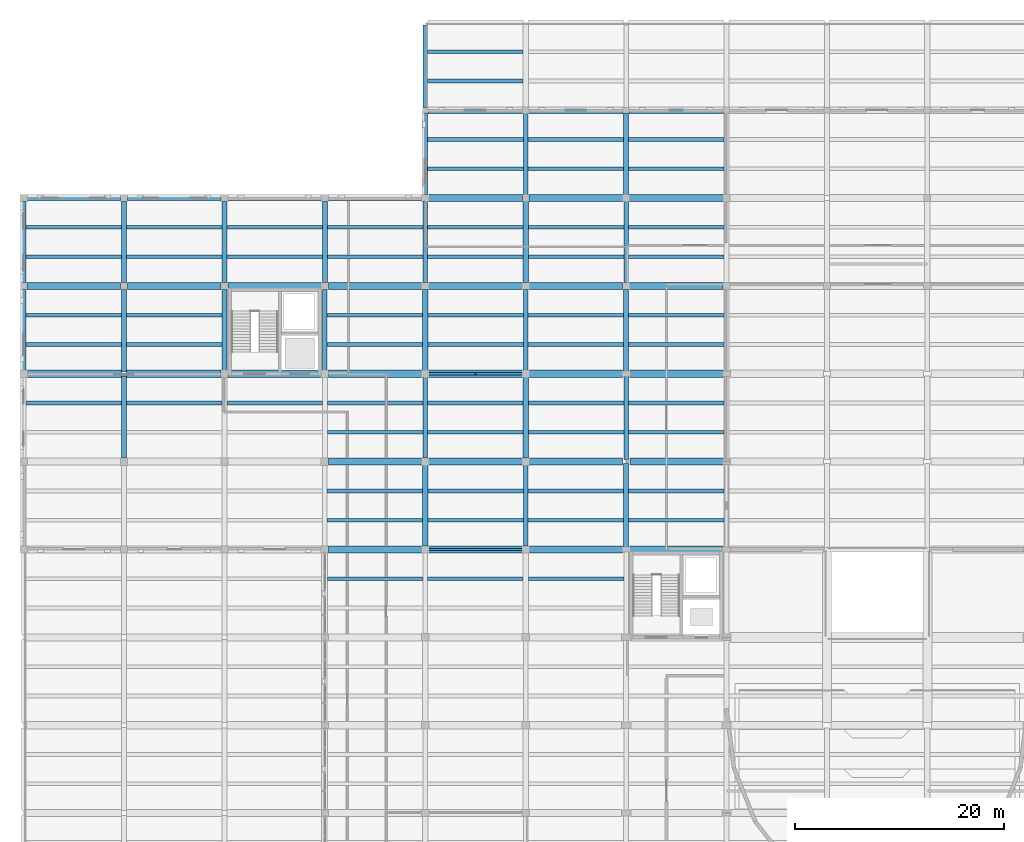
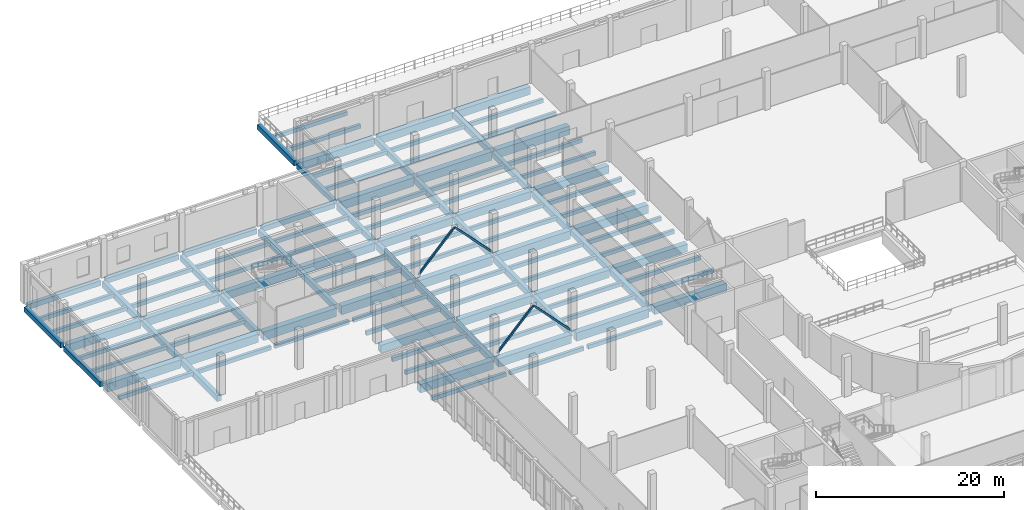
# One storey, part 32 of 71: 113 beams, 4 members.
"""IFC4 building model written with IfcOpenShell, lengths in metres."""

from ifc_helpers import new_model, si_unit, direction, frame, origin, origin_2d, place, context, subcontext, project, spatial, rectangle, hollow_rectangle, extrude, material, material_profile, profile_set, type_object, element, save


model = new_model("IFC4")

# Units and contexts
model_context = context("Model", 3, precision=1e-05, world=origin(), true_north=direction((0.0, 1.0)))
body_context = subcontext(model_context, "Body", "Model", "MODEL_VIEW")
ifc_project = project(units=[si_unit("LENGTHUNIT", "METRE"), si_unit("AREAUNIT", "SQUARE_METRE"), si_unit("VOLUMEUNIT", "CUBIC_METRE"), si_unit("PLANEANGLEUNIT", "RADIAN"), si_unit("MASSUNIT", "GRAM", prefix="KILO")], contexts=[model_context])

# Site, building, storey
site_placement = place(None, origin())
site = spatial("IfcSite", under=ifc_project, at=site_placement, CompositionType="ELEMENT")
building_placement = place(site_placement, origin())
building = spatial("IfcBuilding", under=site, at=building_placement, Name="Lornevale Opera House", CompositionType="ELEMENT")
storey_placement = place(building_placement, origin())
storey = spatial("IfcBuildingStorey", under=building, at=storey_placement, Name="L01", CompositionType="ELEMENT", Elevation=0.0)

# Beams
ifc_material_1 = material(Name="Concrete 35 MPa (CSA A23.1 N)", Category="concrete")
ifc_material_profile_1 = material_profile(ifc_material_1, rectangle(XDim=0.449951171875, YDim=0.75, at=origin_2d()), Name="RC450x750")
ifc_profile_set_1 = profile_set([ifc_material_profile_1], Name="Concrete 35 MPa (CSA A23.1 N)")
beam_type_1 = type_object("IfcBeamType", Name="Concrete Floor Beam 450x750", PredefinedType="USERDEFINED", material=ifc_profile_set_1)
beam_1_placement = place(storey_placement, frame((9.60009765625, 84.22509765625, -0.81494140625), z_axis=(0.0, 1.0, 0.0), x_axis=(-1.0, 0.0, 0.0)))
element("IfcBeam", 1, at=beam_1_placement, inside=storey, type_object=beam_type_1, Name="Concrete Floor Beam 450x750 1091", ObjectType="GIRDER", PredefinedType="USERDEFINED", context=body_context, shape_type="SweptSolid", body=[
    extrude(rectangle(XDim=0.449951171875, YDim=0.75, at=origin_2d()), origin(), (0.0, 0.0, 1.0), 7.849853515625),
])
for number, where, z_axis, x_axis, name in (
    (2, (19.199951171875, 92.72509765625, -0.81494140625), (0.0, 1.0, 0.0), (-1.0, 0.0, 0.0), "Concrete Floor Beam 450x750 1104"),
    (3, (28.800048828125, 84.324951171875, -0.81494140625), (0.0, 1.0, 0.0), (-1.0, 0.0, 0.0), "Concrete Floor Beam 450x750 1115"),
    (4, (38.39990234375, 75.925048828125, -0.81494140625), (0.0, 1.0, 0.0), (-1.0, 0.0, 0.0), "Concrete Floor Beam 450x750 1126"),
    (5, (38.39990234375, 92.72509765625, -0.81494140625), (0.0, 1.0, 0.0), (-1.0, 0.0, 0.0), "Concrete Floor Beam 450x750 1128"),
    (6, (48.0, 67.52490234375, -0.81494140625), (0.0, 1.0, 0.0), (-1.0, 0.0, 0.0), "Concrete Floor Beam 450x750 1139"),
    (7, (48.0, 84.324951171875, -0.81494140625), (0.0, 1.0, 0.0), (-1.0, 0.0, 0.0), "Concrete Floor Beam 450x750 1141"),
):
    element("IfcBeam", number, at=place(storey_placement, frame(where, z_axis=z_axis, x_axis=x_axis)), inside=storey, type_object=beam_type_1, Name=name, ObjectType="GIRDER", PredefinedType="USERDEFINED", context=body_context, shape_type="SweptSolid", body=[
        extrude(rectangle(XDim=0.449951171875, YDim=0.75, at=origin_2d()), origin(), (0.0, 0.0, 1.0), 7.75),
    ])
beam_2_placement = place(storey_placement, frame((48.0, 101.10009765625, -0.7548828125), z_axis=(0.0, 1.0, 0.0), x_axis=(-1.0, 0.0, 0.0)))
element("IfcBeam", 8, at=beam_2_placement, inside=storey, type_object=beam_type_1, Name="Concrete Floor Beam 450x750 1143", ObjectType="GIRDER", PredefinedType="USERDEFINED", context=body_context, shape_type="SweptSolid", body=[
    extrude(rectangle(XDim=0.449951171875, YDim=0.75, at=origin_2d()), origin(), (0.0, 0.0, 1.0), 7.824951171875),
])
beam_3_placement = place(storey_placement, frame((57.60009765625, 75.800048828125, -0.81494140625), z_axis=(0.0, 1.0, 0.0), x_axis=(-1.0, 0.0, 0.0)))
element("IfcBeam", 9, at=beam_3_placement, inside=storey, type_object=beam_type_1, Name="Concrete Floor Beam 450x750 1154", ObjectType="GIRDER", PredefinedType="USERDEFINED", context=body_context, shape_type="SweptSolid", body=[
    extrude(rectangle(XDim=0.449951171875, YDim=0.75, at=origin_2d()), origin(), (0.0, 0.0, 1.0), 8.0),
])
beam_4_placement = place(storey_placement, frame((57.60009765625, 92.72509765625, -0.81494140625), z_axis=(0.0, 1.0, 0.0), x_axis=(-1.0, 0.0, 0.0)))
element("IfcBeam", 10, at=beam_4_placement, inside=storey, type_object=beam_type_1, Name="Concrete Floor Beam 450x750 1156", ObjectType="GIRDER", PredefinedType="USERDEFINED", context=body_context, shape_type="SweptSolid", body=[
    extrude(rectangle(XDim=0.449951171875, YDim=0.75, at=origin_2d()), origin(), (0.0, 0.0, 1.0), 7.77490234375),
])
ifc_material_profile_2 = material_profile(ifc_material_1, rectangle(XDim=0.5, YDim=0.800048828125, at=origin_2d()), Name="RC500x800")
ifc_profile_set_2 = profile_set([ifc_material_profile_2], Name="Concrete 35 MPa (CSA A23.1 N)")
beam_type_2 = type_object("IfcBeamType", Name="Concrete Floor Beam 500x800", PredefinedType="USERDEFINED", material=ifc_profile_set_2)
beam_5_placement = place(storey_placement, frame((9.60009765625, 75.925048828125, -0.840087890625), z_axis=(0.0, 1.0, 0.0), x_axis=(-1.0, 0.0, 0.0)))
element("IfcBeam", 11, at=beam_5_placement, inside=storey, type_object=beam_type_2, Name="Concrete Floor Beam 500x800 1090", ObjectType="GIRDER", PredefinedType="USERDEFINED", context=body_context, shape_type="SweptSolid", body=[
    extrude(rectangle(XDim=0.5, YDim=0.800048828125, at=origin_2d()), origin(), (0.0, 0.0, 1.0), 7.849853515625),
])
for number, where, z_axis, x_axis, name in (
    (12, (9.60009765625, 92.72509765625, -0.840087890625), (0.0, 1.0, 0.0), (-1.0, 0.0, 0.0), "Concrete Floor Beam 500x800 1092"),
    (13, (19.199951171875, 84.324951171875, -0.840087890625), (0.0, 1.0, 0.0), (-1.0, 0.0, 0.0), "Concrete Floor Beam 500x800 1103"),
    (14, (28.800048828125, 92.72509765625, -0.840087890625), (0.0, 1.0, 0.0), (-1.0, 0.0, 0.0), "Concrete Floor Beam 500x800 1116"),
    (15, (38.39990234375, 67.52490234375, -0.840087890625), (0.0, 1.0, 0.0), (-1.0, 0.0, 0.0), "Concrete Floor Beam 500x800 1125"),
    (16, (38.39990234375, 84.324951171875, -0.840087890625), (0.0, 1.0, 0.0), (-1.0, 0.0, 0.0), "Concrete Floor Beam 500x800 1127"),
    (17, (48.0, 75.925048828125, -0.840087890625), (0.0, 1.0, 0.0), (-1.0, 0.0, 0.0), "Concrete Floor Beam 500x800 1140"),
):
    element("IfcBeam", number, at=place(storey_placement, frame(where, z_axis=z_axis, x_axis=x_axis)), inside=storey, type_object=beam_type_2, Name=name, ObjectType="GIRDER", PredefinedType="USERDEFINED", context=body_context, shape_type="SweptSolid", body=[
        extrude(rectangle(XDim=0.5, YDim=0.800048828125, at=origin_2d()), origin(), (0.0, 0.0, 1.0), 7.75),
    ])
beam_6_placement = place(storey_placement, frame((48.0, 92.72509765625, -0.840087890625), z_axis=(0.0, 1.0, 0.0), x_axis=(-1.0, 0.0, 0.0)))
element("IfcBeam", 18, at=beam_6_placement, inside=storey, type_object=beam_type_2, Name="Concrete Floor Beam 500x800 1142", ObjectType="GIRDER", PredefinedType="USERDEFINED", context=body_context, shape_type="SweptSolid", body=[
    extrude(rectangle(XDim=0.5, YDim=0.800048828125, at=origin_2d()), origin(), (0.0, 0.0, 1.0), 7.77490234375),
])
beam_7_placement = place(storey_placement, frame((57.60009765625, 67.39990234375, -0.840087890625), z_axis=(0.0, 1.0, 0.0), x_axis=(-1.0, 0.0, 0.0)))
element("IfcBeam", 19, at=beam_7_placement, inside=storey, type_object=beam_type_2, Name="Concrete Floor Beam 500x800 1153", ObjectType="GIRDER", PredefinedType="USERDEFINED", context=body_context, shape_type="SweptSolid", body=[
    extrude(rectangle(XDim=0.5, YDim=0.800048828125, at=origin_2d()), origin(), (0.0, 0.0, 1.0), 8.0),
])
beam_8_placement = place(storey_placement, frame((57.60009765625, 84.199951171875, -0.840087890625), z_axis=(0.0, 1.0, 0.0), x_axis=(-1.0, 0.0, 0.0)))
element("IfcBeam", 20, at=beam_8_placement, inside=storey, type_object=beam_type_2, Name="Concrete Floor Beam 500x800 1155", ObjectType="GIRDER", PredefinedType="USERDEFINED", context=body_context, shape_type="SweptSolid", body=[
    extrude(rectangle(XDim=0.5, YDim=0.800048828125, at=origin_2d()), origin(), (0.0, 0.0, 1.0), 7.875),
])
beam_9_placement = place(storey_placement, frame((57.60009765625, 101.10009765625, -0.780029296875), z_axis=(0.0, 1.0, 0.0), x_axis=(-1.0, 0.0, 0.0)))
element("IfcBeam", 21, at=beam_9_placement, inside=storey, type_object=beam_type_2, Name="Concrete Floor Beam 500x800 1157", ObjectType="GIRDER", PredefinedType="USERDEFINED", context=body_context, shape_type="SweptSolid", body=[
    extrude(rectangle(XDim=0.5, YDim=0.800048828125, at=origin_2d()), origin(), (0.0, 0.0, 1.0), 7.824951171875),
])
ifc_material_2 = material(Name="Concrete 40 MPa (CSA A23.1 C-1)", Category="concrete")
ifc_material_profile_3 = material_profile(ifc_material_2, rectangle(XDim=0.64990234375, YDim=1.0, at=origin_2d()), Name="RC650x1000")
ifc_profile_set_3 = profile_set([ifc_material_profile_3], Name="Concrete 40 MPa (CSA A23.1 C-1)")
beam_type_3 = type_object("IfcBeamType", Name="Concrete Primary Girder 650x1000", PredefinedType="USERDEFINED", material=ifc_profile_set_3)
beam_10_placement = place(storey_placement, frame((57.949951171875, 67.199951171875, -0.93994140625), z_axis=(1.0, 0.0, 0.0), x_axis=(0.0, 1.0, 0.0)))
element("IfcBeam", 22, at=beam_10_placement, inside=storey, type_object=beam_type_3, Name="Concrete Primary Girder 650x1000 0980", ObjectType="GIRDER", PredefinedType="USERDEFINED", context=body_context, shape_type="SweptSolid", body=[
    extrude(rectangle(XDim=0.64990234375, YDim=1.0, at=origin_2d()), origin(), (0.0, 0.0, 1.0), 8.900146484375),
])
for number, where, z_axis, x_axis, name in (
    (23, (29.125, 75.60009765625, -0.93994140625), (1.0, 0.0, 0.0), (0.0, 1.0, 0.0), "Concrete Primary Girder 650x1000 0994"),
    (24, (38.72509765625, 75.60009765625, -0.93994140625), (1.0, 0.0, 0.0), (0.0, 1.0, 0.0), "Concrete Primary Girder 650x1000 0995"),
):
    element("IfcBeam", number, at=place(storey_placement, frame(where, z_axis=z_axis, x_axis=x_axis)), inside=storey, type_object=beam_type_3, Name=name, ObjectType="GIRDER", PredefinedType="USERDEFINED", context=body_context, shape_type="SweptSolid", body=[
        extrude(rectangle(XDim=0.64990234375, YDim=1.0, at=origin_2d()), origin(), (0.0, 0.0, 1.0), 8.949951171875),
    ])
beam_11_placement = place(storey_placement, frame((48.324951171875, 75.60009765625, -0.93994140625), z_axis=(1.0, 0.0, 0.0), x_axis=(0.0, 1.0, 0.0)))
element("IfcBeam", 25, at=beam_11_placement, inside=storey, type_object=beam_type_3, Name="Concrete Primary Girder 650x1000 0996", ObjectType="GIRDER", PredefinedType="USERDEFINED", context=body_context, shape_type="SweptSolid", body=[
    extrude(rectangle(XDim=0.64990234375, YDim=1.0, at=origin_2d()), origin(), (0.0, 0.0, 1.0), 8.925048828125),
])
beam_12_placement = place(storey_placement, frame((57.949951171875, 75.60009765625, -0.93994140625), z_axis=(1.0, 0.0, 0.0), x_axis=(0.0, 1.0, 0.0)))
element("IfcBeam", 26, at=beam_12_placement, inside=storey, type_object=beam_type_3, Name="Concrete Primary Girder 650x1000 0997", ObjectType="GIRDER", PredefinedType="USERDEFINED", context=body_context, shape_type="SweptSolid", body=[
    extrude(rectangle(XDim=0.64990234375, YDim=1.0, at=origin_2d()), origin(), (0.0, 0.0, 1.0), 8.900146484375),
])
for number, where, z_axis, x_axis, name in (
    (27, (0.324951171875, 92.39990234375, -0.93994140625), (1.0, 0.0, 0.0), (0.0, 1.0, 0.0), "Concrete Primary Girder 650x1000 1025"),
    (28, (9.925048828125, 92.39990234375, -0.93994140625), (1.0, 0.0, 0.0), (0.0, 1.0, 0.0), "Concrete Primary Girder 650x1000 1026"),
):
    element("IfcBeam", number, at=place(storey_placement, frame(where, z_axis=z_axis, x_axis=x_axis)), inside=storey, type_object=beam_type_3, Name=name, ObjectType="GIRDER", PredefinedType="USERDEFINED", context=body_context, shape_type="SweptSolid", body=[
        extrude(rectangle(XDim=0.64990234375, YDim=1.0, at=origin_2d()), origin(), (0.0, 0.0, 1.0), 8.949951171875),
    ])
beam_13_placement = place(storey_placement, frame((19.52490234375, 92.39990234375, -0.93994140625), z_axis=(1.0, 0.0, 0.0), x_axis=(0.0, 1.0, 0.0)))
element("IfcBeam", 29, at=beam_13_placement, inside=storey, type_object=beam_type_3, Name="Concrete Primary Girder 650x1000 1027", ObjectType="GIRDER", PredefinedType="USERDEFINED", context=body_context, shape_type="SweptSolid", body=[
    extrude(rectangle(XDim=0.64990234375, YDim=1.0, at=origin_2d()), origin(), (0.0, 0.0, 1.0), 8.9501953125),
])
for number, where, z_axis, x_axis, name in (
    (30, (29.125, 92.39990234375, -0.93994140625), (1.0, 0.0, 0.0), (0.0, 1.0, 0.0), "Concrete Primary Girder 650x1000 1028"),
    (31, (38.72509765625, 92.39990234375, -0.93994140625), (1.0, 0.0, 0.0), (0.0, 1.0, 0.0), "Concrete Primary Girder 650x1000 1029"),
    (32, (48.324951171875, 92.39990234375, -0.93994140625), (1.0, 0.0, 0.0), (0.0, 1.0, 0.0), "Concrete Primary Girder 650x1000 1030"),
    (33, (57.925048828125, 92.39990234375, -0.93994140625), (1.0, 0.0, 0.0), (0.0, 1.0, 0.0), "Concrete Primary Girder 650x1000 1031"),
):
    element("IfcBeam", number, at=place(storey_placement, frame(where, z_axis=z_axis, x_axis=x_axis)), inside=storey, type_object=beam_type_3, Name=name, ObjectType="GIRDER", PredefinedType="USERDEFINED", context=body_context, shape_type="SweptSolid", body=[
        extrude(rectangle(XDim=0.64990234375, YDim=1.0, at=origin_2d()), origin(), (0.0, 0.0, 1.0), 8.949951171875),
    ])
for number, where, z_axis, x_axis, name in (
    (34, (38.675048828125, 109.199951171875, -0.8798828125), (1.0, 0.0, 0.0), (0.0, 1.0, 0.0), "Concrete Primary Girder 650x1000 1051"),
    (35, (48.27490234375, 109.199951171875, -0.8798828125), (1.0, 0.0, 0.0), (0.0, 1.0, 0.0), "Concrete Primary Girder 650x1000 1052"),
    (36, (57.875, 109.199951171875, -0.8798828125), (1.0, 0.0, 0.0), (0.0, 1.0, 0.0), "Concrete Primary Girder 650x1000 1053"),
):
    element("IfcBeam", number, at=place(storey_placement, frame(where, z_axis=z_axis, x_axis=x_axis)), inside=storey, type_object=beam_type_3, Name=name, ObjectType="GIRDER", PredefinedType="USERDEFINED", context=body_context, shape_type="SweptSolid", body=[
        extrude(rectangle(XDim=0.64990234375, YDim=1.0, at=origin_2d()), origin(), (0.0, 0.0, 1.0), 9.050048828125),
    ])
ifc_material_profile_4 = material_profile(ifc_material_2, rectangle(XDim=0.699951171875, YDim=1.10009765625, at=origin_2d()), Name="RC700x1100")
ifc_profile_set_4 = profile_set([ifc_material_profile_4], Name="Concrete 40 MPa (CSA A23.1 C-1)")
beam_type_4 = type_object("IfcBeamType", Name="Concrete Primary Girder 700x1100", PredefinedType="USERDEFINED", material=ifc_profile_set_4)
for number, where, z_axis, x_axis, name in (
    (37, (29.125, 67.199951171875, -0.989990234375), (1.0, 0.0, 0.0), (0.0, 1.0, 0.0), "Concrete Primary Girder 700x1100 0977"),
    (38, (38.72509765625, 67.199951171875, -0.989990234375), (1.0, 0.0, 0.0), (0.0, 1.0, 0.0), "Concrete Primary Girder 700x1100 0978"),
):
    element("IfcBeam", number, at=place(storey_placement, frame(where, z_axis=z_axis, x_axis=x_axis)), inside=storey, type_object=beam_type_4, Name=name, ObjectType="GIRDER", PredefinedType="USERDEFINED", context=body_context, shape_type="SweptSolid", body=[
        extrude(rectangle(XDim=0.699951171875, YDim=1.10009765625, at=origin_2d()), origin(), (0.0, 0.0, 1.0), 8.949951171875),
    ])
beam_14_placement = place(storey_placement, frame((48.324951171875, 67.199951171875, -0.989990234375), z_axis=(1.0, 0.0, 0.0), x_axis=(0.0, 1.0, 0.0)))
element("IfcBeam", 39, at=beam_14_placement, inside=storey, type_object=beam_type_4, Name="Concrete Primary Girder 700x1100 0979", ObjectType="GIRDER", PredefinedType="USERDEFINED", context=body_context, shape_type="SweptSolid", body=[
    extrude(rectangle(XDim=0.699951171875, YDim=1.10009765625, at=origin_2d()), origin(), (0.0, 0.0, 1.0), 8.925048828125),
])
for number, where, z_axis, x_axis, name in (
    (40, (0.324951171875, 84.0, -0.989990234375), (1.0, 0.0, 0.0), (0.0, 1.0, 0.0), "Concrete Primary Girder 700x1100 1008"),
    (41, (9.824951171875, 84.0, -0.989990234375), (1.0, 0.0, 0.0), (0.0, 1.0, 0.0), "Concrete Primary Girder 700x1100 1009"),
):
    element("IfcBeam", number, at=place(storey_placement, frame(where, z_axis=z_axis, x_axis=x_axis)), inside=storey, type_object=beam_type_4, Name=name, ObjectType="GIRDER", PredefinedType="USERDEFINED", context=body_context, shape_type="SweptSolid", body=[
        extrude(rectangle(XDim=0.699951171875, YDim=1.10009765625, at=origin_2d()), origin(), (0.0, 0.0, 1.0), 9.050048828125),
    ])
beam_15_placement = place(storey_placement, frame((19.52490234375, 84.0, -0.989990234375), z_axis=(1.0, 0.0, 0.0), x_axis=(0.0, 1.0, 0.0)))
element("IfcBeam", 42, at=beam_15_placement, inside=storey, type_object=beam_type_4, Name="Concrete Primary Girder 700x1100 1010", ObjectType="GIRDER", PredefinedType="USERDEFINED", context=body_context, shape_type="SweptSolid", body=[
    extrude(rectangle(XDim=0.699951171875, YDim=1.10009765625, at=origin_2d()), origin(), (0.0, 0.0, 1.0), 8.9501953125),
])
for number, where, z_axis, x_axis, name in (
    (43, (29.125, 84.0, -0.989990234375), (1.0, 0.0, 0.0), (0.0, 1.0, 0.0), "Concrete Primary Girder 700x1100 1011"),
    (44, (38.72509765625, 84.0, -0.989990234375), (1.0, 0.0, 0.0), (0.0, 1.0, 0.0), "Concrete Primary Girder 700x1100 1012"),
):
    element("IfcBeam", number, at=place(storey_placement, frame(where, z_axis=z_axis, x_axis=x_axis)), inside=storey, type_object=beam_type_4, Name=name, ObjectType="GIRDER", PredefinedType="USERDEFINED", context=body_context, shape_type="SweptSolid", body=[
        extrude(rectangle(XDim=0.699951171875, YDim=1.10009765625, at=origin_2d()), origin(), (0.0, 0.0, 1.0), 8.949951171875),
    ])
beam_16_placement = place(storey_placement, frame((48.324951171875, 84.0, -0.989990234375), z_axis=(1.0, 0.0, 0.0), x_axis=(0.0, 1.0, 0.0)))
element("IfcBeam", 45, at=beam_16_placement, inside=storey, type_object=beam_type_4, Name="Concrete Primary Girder 700x1100 1013", ObjectType="GIRDER", PredefinedType="USERDEFINED", context=body_context, shape_type="SweptSolid", body=[
    extrude(rectangle(XDim=0.699951171875, YDim=1.10009765625, at=origin_2d()), origin(), (0.0, 0.0, 1.0), 8.925048828125),
])
beam_17_placement = place(storey_placement, frame((57.949951171875, 84.0, -0.989990234375), z_axis=(1.0, 0.0, 0.0), x_axis=(0.0, 1.0, 0.0)))
element("IfcBeam", 46, at=beam_17_placement, inside=storey, type_object=beam_type_4, Name="Concrete Primary Girder 700x1100 1014", ObjectType="GIRDER", PredefinedType="USERDEFINED", context=body_context, shape_type="SweptSolid", body=[
    extrude(rectangle(XDim=0.699951171875, YDim=1.10009765625, at=origin_2d()), origin(), (0.0, 0.0, 1.0), 8.900146484375),
])
beam_18_placement = place(storey_placement, frame((38.72509765625, 100.800048828125, -0.929931640625), z_axis=(1.0, 0.0, 0.0), x_axis=(0.0, 1.0, 0.0)))
element("IfcBeam", 47, at=beam_18_placement, inside=storey, type_object=beam_type_4, Name="Concrete Primary Girder 700x1100 1042", ObjectType="GIRDER", PredefinedType="USERDEFINED", context=body_context, shape_type="SweptSolid", body=[
    extrude(rectangle(XDim=0.699951171875, YDim=1.10009765625, at=origin_2d()), origin(), (0.0, 0.0, 1.0), 8.974853515625),
])
for number, where, z_axis, x_axis, name in (
    (48, (48.300048828125, 100.800048828125, -0.929931640625), (1.0, 0.0, 0.0), (0.0, 1.0, 0.0), "Concrete Primary Girder 700x1100 1043"),
    (49, (57.89990234375, 100.800048828125, -0.929931640625), (1.0, 0.0, 0.0), (0.0, 1.0, 0.0), "Concrete Primary Girder 700x1100 1044"),
):
    element("IfcBeam", number, at=place(storey_placement, frame(where, z_axis=z_axis, x_axis=x_axis)), inside=storey, type_object=beam_type_4, Name=name, ObjectType="GIRDER", PredefinedType="USERDEFINED", context=body_context, shape_type="SweptSolid", body=[
        extrude(rectangle(XDim=0.699951171875, YDim=1.10009765625, at=origin_2d()), origin(), (0.0, 0.0, 1.0), 9.0),
    ])
ifc_material_profile_5 = material_profile(ifc_material_1, rectangle(XDim=0.35009765625, YDim=0.5, at=origin_2d()), Name="RC350x500")
ifc_profile_set_5 = profile_set([ifc_material_profile_5], Name="Concrete 35 MPa (CSA A23.1 N)")
beam_type_5 = type_object("IfcBeamType", Name="Concrete Secondary Rib 350x500", PredefinedType="JOIST", material=ifc_profile_set_5)
beam_19_placement = place(storey_placement, frame((0.22509765625, 81.199951171875, -0.68994140625), z_axis=(1.0, 0.0, 0.0), x_axis=(0.0, 1.0, 0.0)))
element("IfcBeam", 50, at=beam_19_placement, inside=storey, type_object=beam_type_5, Name="Concrete Secondary Rib 350x500 1310", PredefinedType="JOIST", context=body_context, shape_type="SweptSolid", body=[
    extrude(rectangle(XDim=0.35009765625, YDim=0.5, at=origin_2d()), origin(), (0.0, 0.0, 1.0), 9.125),
])
for number, where, z_axis, x_axis, name in (
    (51, (0.22509765625, 86.800048828125, -0.68994140625), (1.0, 0.0, 0.0), (0.0, 1.0, 0.0), "Concrete Secondary Rib 350x500 1311"),
    (52, (0.22509765625, 89.60009765625, -0.68994140625), (1.0, 0.0, 0.0), (0.0, 1.0, 0.0), "Concrete Secondary Rib 350x500 1312"),
):
    element("IfcBeam", number, at=place(storey_placement, frame(where, z_axis=z_axis, x_axis=x_axis)), inside=storey, type_object=beam_type_5, Name=name, PredefinedType="JOIST", context=body_context, shape_type="SweptSolid", body=[
        extrude(rectangle(XDim=0.35009765625, YDim=0.5, at=origin_2d()), origin(), (0.0, 0.0, 1.0), 9.14990234375),
    ])
for number, where, z_axis, x_axis, name in (
    (53, (0.22509765625, 95.199951171875, -0.68994140625), (1.0, 0.0, 0.0), (0.0, 1.0, 0.0), "Concrete Secondary Rib 350x500 1313"),
    (54, (0.22509765625, 98.0, -0.68994140625), (1.0, 0.0, 0.0), (0.0, 1.0, 0.0), "Concrete Secondary Rib 350x500 1314"),
    (55, (9.85009765625, 81.199951171875, -0.68994140625), (1.0, 0.0, 0.0), (0.0, 1.0, 0.0), "Concrete Secondary Rib 350x500 1334"),
    (56, (9.824951171875, 86.800048828125, -0.68994140625), (1.0, 0.0, 0.0), (0.0, 1.0, 0.0), "Concrete Secondary Rib 350x500 1335"),
    (57, (9.824951171875, 89.60009765625, -0.68994140625), (1.0, 0.0, 0.0), (0.0, 1.0, 0.0), "Concrete Secondary Rib 350x500 1336"),
    (58, (9.85009765625, 95.199951171875, -0.68994140625), (1.0, 0.0, 0.0), (0.0, 1.0, 0.0), "Concrete Secondary Rib 350x500 1337"),
    (59, (9.85009765625, 98.0, -0.68994140625), (1.0, 0.0, 0.0), (0.0, 1.0, 0.0), "Concrete Secondary Rib 350x500 1338"),
    (60, (19.425048828125, 81.199951171875, -0.68994140625), (1.0, 0.0, 0.0), (0.0, 1.0, 0.0), "Concrete Secondary Rib 350x500 1356"),
    (61, (19.425048828125, 95.199951171875, -0.68994140625), (1.0, 0.0, 0.0), (0.0, 1.0, 0.0), "Concrete Secondary Rib 350x500 1357"),
    (62, (19.425048828125, 98.0, -0.68994140625), (1.0, 0.0, 0.0), (0.0, 1.0, 0.0), "Concrete Secondary Rib 350x500 1358"),
    (63, (29.050048828125, 64.39990234375, -0.68994140625), (1.0, 0.0, 0.0), (0.0, 1.0, 0.0), "Concrete Secondary Rib 350x500 1374"),
    (64, (29.02490234375, 70.0, -0.68994140625), (1.0, 0.0, 0.0), (0.0, 1.0, 0.0), "Concrete Secondary Rib 350x500 1375"),
    (65, (29.02490234375, 72.800048828125, -0.68994140625), (1.0, 0.0, 0.0), (0.0, 1.0, 0.0), "Concrete Secondary Rib 350x500 1376"),
    (66, (29.050048828125, 78.39990234375, -0.68994140625), (1.0, 0.0, 0.0), (0.0, 1.0, 0.0), "Concrete Secondary Rib 350x500 1377"),
    (67, (29.050048828125, 81.199951171875, -0.68994140625), (1.0, 0.0, 0.0), (0.0, 1.0, 0.0), "Concrete Secondary Rib 350x500 1378"),
    (68, (29.02490234375, 86.800048828125, -0.68994140625), (1.0, 0.0, 0.0), (0.0, 1.0, 0.0), "Concrete Secondary Rib 350x500 1379"),
    (69, (29.02490234375, 89.60009765625, -0.68994140625), (1.0, 0.0, 0.0), (0.0, 1.0, 0.0), "Concrete Secondary Rib 350x500 1380"),
    (70, (29.050048828125, 95.199951171875, -0.68994140625), (1.0, 0.0, 0.0), (0.0, 1.0, 0.0), "Concrete Secondary Rib 350x500 1381"),
    (71, (29.050048828125, 98.0, -0.68994140625), (1.0, 0.0, 0.0), (0.0, 1.0, 0.0), "Concrete Secondary Rib 350x500 1382"),
    (72, (38.625, 64.39990234375, -0.68994140625), (1.0, 0.0, 0.0), (0.0, 1.0, 0.0), "Concrete Secondary Rib 350x500 1398"),
    (73, (38.64990234375, 70.0, -0.68994140625), (1.0, 0.0, 0.0), (0.0, 1.0, 0.0), "Concrete Secondary Rib 350x500 1399"),
    (74, (38.64990234375, 72.800048828125, -0.68994140625), (1.0, 0.0, 0.0), (0.0, 1.0, 0.0), "Concrete Secondary Rib 350x500 1400"),
    (75, (38.625, 78.39990234375, -0.68994140625), (1.0, 0.0, 0.0), (0.0, 1.0, 0.0), "Concrete Secondary Rib 350x500 1401"),
    (76, (38.625, 81.199951171875, -0.68994140625), (1.0, 0.0, 0.0), (0.0, 1.0, 0.0), "Concrete Secondary Rib 350x500 1402"),
    (77, (38.64990234375, 86.800048828125, -0.68994140625), (1.0, 0.0, 0.0), (0.0, 1.0, 0.0), "Concrete Secondary Rib 350x500 1403"),
    (78, (38.64990234375, 89.60009765625, -0.68994140625), (1.0, 0.0, 0.0), (0.0, 1.0, 0.0), "Concrete Secondary Rib 350x500 1404"),
    (79, (38.625, 95.199951171875, -0.68994140625), (1.0, 0.0, 0.0), (0.0, 1.0, 0.0), "Concrete Secondary Rib 350x500 1405"),
    (80, (38.625, 98.0, -0.68994140625), (1.0, 0.0, 0.0), (0.0, 1.0, 0.0), "Concrete Secondary Rib 350x500 1406"),
):
    element("IfcBeam", number, at=place(storey_placement, frame(where, z_axis=z_axis, x_axis=x_axis)), inside=storey, type_object=beam_type_5, Name=name, PredefinedType="JOIST", context=body_context, shape_type="SweptSolid", body=[
        extrude(rectangle(XDim=0.35009765625, YDim=0.5, at=origin_2d()), origin(), (0.0, 0.0, 1.0), 9.125),
    ])
for number, where, z_axis, x_axis, name in (
    (81, (38.625, 103.60009765625, -0.6298828125), (1.0, 0.0, 0.0), (0.0, 1.0, 0.0), "Concrete Secondary Rib 350x500 1407"),
    (82, (38.625, 106.39990234375, -0.6298828125), (1.0, 0.0, 0.0), (0.0, 1.0, 0.0), "Concrete Secondary Rib 350x500 1408"),
):
    element("IfcBeam", number, at=place(storey_placement, frame(where, z_axis=z_axis, x_axis=x_axis)), inside=storey, type_object=beam_type_5, Name=name, PredefinedType="JOIST", context=body_context, shape_type="SweptSolid", body=[
        extrude(rectangle(XDim=0.35009765625, YDim=0.5, at=origin_2d()), origin(), (0.0, 0.0, 1.0), 9.14990234375),
    ])
for number, where, z_axis, x_axis, name in (
    (83, (38.625, 112.0, -0.6298828125), (1.0, 0.0, 0.0), (0.0, 1.0, 0.0), "Concrete Secondary Rib 350x500 1409"),
    (84, (38.625, 114.800048828125, -0.6298828125), (1.0, 0.0, 0.0), (0.0, 1.0, 0.0), "Concrete Secondary Rib 350x500 1410"),
    (85, (48.25, 64.39990234375, -0.68994140625), (1.0, 0.0, 0.0), (0.0, 1.0, 0.0), "Concrete Secondary Rib 350x500 1424"),
    (86, (48.22509765625, 70.0, -0.68994140625), (1.0, 0.0, 0.0), (0.0, 1.0, 0.0), "Concrete Secondary Rib 350x500 1425"),
    (87, (48.22509765625, 72.800048828125, -0.68994140625), (1.0, 0.0, 0.0), (0.0, 1.0, 0.0), "Concrete Secondary Rib 350x500 1426"),
    (88, (48.25, 78.39990234375, -0.68994140625), (1.0, 0.0, 0.0), (0.0, 1.0, 0.0), "Concrete Secondary Rib 350x500 1427"),
    (89, (48.25, 81.199951171875, -0.68994140625), (1.0, 0.0, 0.0), (0.0, 1.0, 0.0), "Concrete Secondary Rib 350x500 1428"),
    (90, (48.22509765625, 86.800048828125, -0.68994140625), (1.0, 0.0, 0.0), (0.0, 1.0, 0.0), "Concrete Secondary Rib 350x500 1429"),
    (91, (48.22509765625, 89.60009765625, -0.68994140625), (1.0, 0.0, 0.0), (0.0, 1.0, 0.0), "Concrete Secondary Rib 350x500 1430"),
    (92, (48.25, 95.199951171875, -0.68994140625), (1.0, 0.0, 0.0), (0.0, 1.0, 0.0), "Concrete Secondary Rib 350x500 1431"),
    (93, (48.25, 98.0, -0.68994140625), (1.0, 0.0, 0.0), (0.0, 1.0, 0.0), "Concrete Secondary Rib 350x500 1432"),
    (94, (48.22509765625, 103.60009765625, -0.6298828125), (1.0, 0.0, 0.0), (0.0, 1.0, 0.0), "Concrete Secondary Rib 350x500 1433"),
    (95, (48.22509765625, 106.39990234375, -0.6298828125), (1.0, 0.0, 0.0), (0.0, 1.0, 0.0), "Concrete Secondary Rib 350x500 1434"),
    (96, (57.85009765625, 70.0, -0.68994140625), (1.0, 0.0, 0.0), (0.0, 1.0, 0.0), "Concrete Secondary Rib 350x500 1449"),
    (97, (57.85009765625, 72.800048828125, -0.68994140625), (1.0, 0.0, 0.0), (0.0, 1.0, 0.0), "Concrete Secondary Rib 350x500 1450"),
    (98, (57.824951171875, 78.39990234375, -0.68994140625), (1.0, 0.0, 0.0), (0.0, 1.0, 0.0), "Concrete Secondary Rib 350x500 1451"),
    (99, (57.824951171875, 81.199951171875, -0.68994140625), (1.0, 0.0, 0.0), (0.0, 1.0, 0.0), "Concrete Secondary Rib 350x500 1452"),
    (100, (57.85009765625, 86.800048828125, -0.68994140625), (1.0, 0.0, 0.0), (0.0, 1.0, 0.0), "Concrete Secondary Rib 350x500 1453"),
    (101, (57.85009765625, 89.60009765625, -0.68994140625), (1.0, 0.0, 0.0), (0.0, 1.0, 0.0), "Concrete Secondary Rib 350x500 1454"),
    (102, (57.824951171875, 95.199951171875, -0.68994140625), (1.0, 0.0, 0.0), (0.0, 1.0, 0.0), "Concrete Secondary Rib 350x500 1455"),
    (103, (57.824951171875, 98.0, -0.68994140625), (1.0, 0.0, 0.0), (0.0, 1.0, 0.0), "Concrete Secondary Rib 350x500 1456"),
    (104, (57.85009765625, 103.60009765625, -0.6298828125), (1.0, 0.0, 0.0), (0.0, 1.0, 0.0), "Concrete Secondary Rib 350x500 1457"),
    (105, (57.85009765625, 106.39990234375, -0.6298828125), (1.0, 0.0, 0.0), (0.0, 1.0, 0.0), "Concrete Secondary Rib 350x500 1458"),
):
    element("IfcBeam", number, at=place(storey_placement, frame(where, z_axis=z_axis, x_axis=x_axis)), inside=storey, type_object=beam_type_5, Name=name, PredefinedType="JOIST", context=body_context, shape_type="SweptSolid", body=[
        extrude(rectangle(XDim=0.35009765625, YDim=0.5, at=origin_2d()), origin(), (0.0, 0.0, 1.0), 9.125),
    ])
ifc_material_profile_6 = material_profile(ifc_material_1, rectangle(XDim=0.449951171875, YDim=0.64990234375, at=origin_2d()), Name="RC450x650")
ifc_profile_set_6 = profile_set([ifc_material_profile_6], Name="Concrete 35 MPa (CSA A23.1 N)")
beam_type_6 = type_object("IfcBeamType", Name="Concrete Spandrel Beam 450x650", PredefinedType="SPANDREL", material=ifc_profile_set_6)
for number, where, z_axis, x_axis, name in (
    (106, (0.324951171875, 100.800048828125, -0.705078125), (1.0, 0.0, 0.0), (0.0, 1.0, 0.0), "Concrete Spandrel Beam 450x650 1038"),
    (107, (9.925048828125, 100.800048828125, -0.705078125), (1.0, 0.0, 0.0), (0.0, 1.0, 0.0), "Concrete Spandrel Beam 450x650 1039"),
):
    element("IfcBeam", number, at=place(storey_placement, frame(where, z_axis=z_axis, x_axis=x_axis)), inside=storey, type_object=beam_type_6, Name=name, PredefinedType="SPANDREL", context=body_context, shape_type="SweptSolid", body=[
        extrude(rectangle(XDim=0.449951171875, YDim=0.64990234375, at=origin_2d()), origin(), (0.0, 0.0, 1.0), 8.949951171875),
    ])
beam_20_placement = place(storey_placement, frame((19.52490234375, 100.800048828125, -0.705078125), z_axis=(1.0, 0.0, 0.0), x_axis=(0.0, 1.0, 0.0)))
element("IfcBeam", 108, at=beam_20_placement, inside=storey, type_object=beam_type_6, Name="Concrete Spandrel Beam 450x650 1040", PredefinedType="SPANDREL", context=body_context, shape_type="SweptSolid", body=[
    extrude(rectangle(XDim=0.449951171875, YDim=0.64990234375, at=origin_2d()), origin(), (0.0, 0.0, 1.0), 8.9501953125),
])
beam_21_placement = place(storey_placement, frame((29.125, 100.800048828125, -0.705078125), z_axis=(1.0, 0.0, 0.0), x_axis=(0.0, 1.0, 0.0)))
element("IfcBeam", 109, at=beam_21_placement, inside=storey, type_object=beam_type_6, Name="Concrete Spandrel Beam 450x650 1041", PredefinedType="SPANDREL", context=body_context, shape_type="SweptSolid", body=[
    extrude(rectangle(XDim=0.449951171875, YDim=0.64990234375, at=origin_2d()), origin(), (0.0, 0.0, 1.0), 8.949951171875),
])
for number, where, z_axis, x_axis, name in (
    (110, (0.0, 84.324951171875, -0.764892578125), (0.0, 1.0, 0.0), (-1.0, 0.0, 0.0), "Concrete Spandrel Beam 450x650 1079"),
    (111, (0.0, 92.72509765625, -0.764892578125), (0.0, 1.0, 0.0), (-1.0, 0.0, 0.0), "Concrete Spandrel Beam 450x650 1080"),
):
    element("IfcBeam", number, at=place(storey_placement, frame(where, z_axis=z_axis, x_axis=x_axis)), inside=storey, type_object=beam_type_6, Name=name, PredefinedType="SPANDREL", context=body_context, shape_type="SweptSolid", body=[
        extrude(rectangle(XDim=0.449951171875, YDim=0.64990234375, at=origin_2d()), origin(), (0.0, 0.0, 1.0), 7.75),
    ])
beam_22_placement = place(storey_placement, frame((38.39990234375, 101.125, -0.705078125), z_axis=(0.0, 1.0, 0.0), x_axis=(-1.0, 0.0, 0.0)))
element("IfcBeam", 112, at=beam_22_placement, inside=storey, type_object=beam_type_6, Name="Concrete Spandrel Beam 450x650 1129", PredefinedType="SPANDREL", context=body_context, shape_type="SweptSolid", body=[
    extrude(rectangle(XDim=0.449951171875, YDim=0.64990234375, at=origin_2d()), origin(), (0.0, 0.0, 1.0), 7.800048828125),
])
beam_23_placement = place(storey_placement, frame((38.39990234375, 109.47509765625, -0.705078125), z_axis=(0.0, 1.0, 0.0), x_axis=(-1.0, 0.0, 0.0)))
element("IfcBeam", 113, at=beam_23_placement, inside=storey, type_object=beam_type_6, Name="Concrete Spandrel Beam 450x650 1130", PredefinedType="SPANDREL", context=body_context, shape_type="SweptSolid", body=[
    extrude(rectangle(XDim=0.449951171875, YDim=0.64990234375, at=origin_2d()), origin(), (0.0, 0.0, 1.0), 7.875),
])

# Members
ifc_material_3 = material(Name="Structural Steel CSA G40.21 Grade 350W (350 MPa)", Category="steel")
ifc_material_profile_7 = material_profile(ifc_material_3, hollow_rectangle(XDim=0.202880859375, YDim=0.202880859375, WallThickness=0.0126953125, at=origin_2d()), Name="HSS203x203x13")
ifc_profile_set_7 = profile_set([ifc_material_profile_7], Name="Structural Steel CSA G40.21 Grade 350W (350 MPa)")
member_type = type_object("IfcMemberType", Name="Workshop Lateral Brace HSS203x203x13", PredefinedType="BRACE", material=ifc_profile_set_7)
for number, where, z_axis, x_axis, name in (
    (114, (38.75, 67.199951171875, 0.10009765625), (0.689850776415, 0.0, 0.723951591116), (0.0, 1.0, 0.0), "Workshop Lateral Brace HSS203x203x13 0130"),
    (115, (47.64990234375, 67.199951171875, 0.10009765625), (-0.689850776415, 0.0, 0.723951591116), (0.0, -1.0, 0.0), "Workshop Lateral Brace HSS203x203x13 0131"),
    (116, (38.75, 84.0, 0.10009765625), (0.689850776415, 0.0, 0.723951591116), (0.0, 1.0, 0.0), "Workshop Lateral Brace HSS203x203x13 0138"),
    (117, (47.64990234375, 84.0, 0.10009765625), (-0.689850776415, 0.0, 0.723951591116), (0.0, -1.0, 0.0), "Workshop Lateral Brace HSS203x203x13 0139"),
):
    element("IfcMember", number, at=place(storey_placement, frame(where, z_axis=z_axis, x_axis=x_axis)), inside=storey, type_object=member_type, Name=name, PredefinedType="BRACE", context=body_context, shape_type="SweptSolid", body=[
        extrude(hollow_rectangle(XDim=0.202880859375, YDim=0.202880859375, WallThickness=0.0126953125, at=origin_2d()), origin(), (0.0, 0.0, 1.0), 6.45068359375),
    ])

save(model, "model.ifc")
